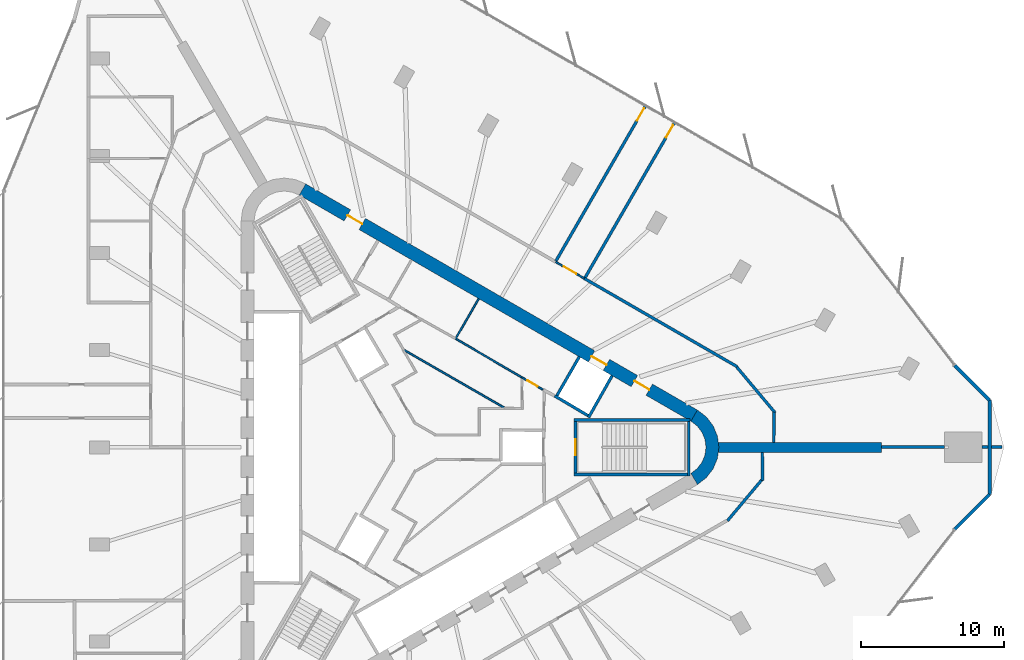
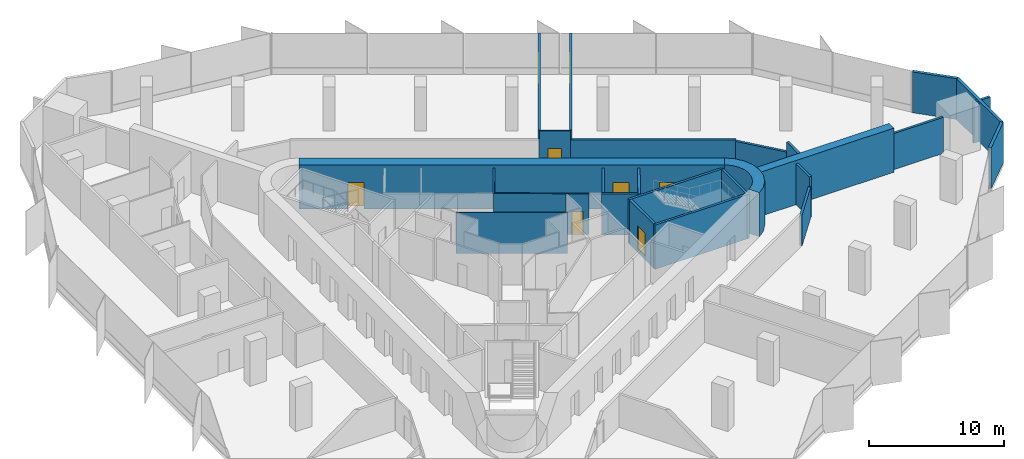
# One storey, part 12 of 14: 28 walls, 8 doors, 8 openings.
"""IFC4 building model written with IfcOpenShell, lengths in metres."""

from ifc_helpers import new_model, si_unit, direction, frame, frame_2d, origin, place, context, subcontext, project, spatial, polyline, rectangle, outline, extrude, material, layer, layer_set, type_object, element, fill, save


model = new_model("IFC4")

# Units and contexts
model_context = context("Model", 3, precision=1e-05, world=origin(), true_north=direction((0.0, 1.0)))
body_context = subcontext(model_context, "Body", "Model", "MODEL_VIEW")
ifc_project = project(units=[si_unit("LENGTHUNIT", "METRE"), si_unit("AREAUNIT", "SQUARE_METRE"), si_unit("VOLUMEUNIT", "CUBIC_METRE"), si_unit("PLANEANGLEUNIT", "RADIAN"), si_unit("MASSUNIT", "GRAM", prefix="KILO")], contexts=[model_context])

# Site, building, storey
site_placement = place(None, origin())
site = spatial("IfcSite", under=ifc_project, at=site_placement, CompositionType="ELEMENT")
building_placement = place(site_placement, origin())
building = spatial("IfcBuilding", under=site, at=building_placement, Name="Tanit Gate Tower", CompositionType="ELEMENT")
storey_placement = place(building_placement, frame((0.0, 0.0, 229.199951171875)))
storey = spatial("IfcBuildingStorey", under=building, at=storey_placement, Name="L51", CompositionType="ELEMENT", Elevation=229.199951171875)

# Wall
ifc_material_1 = material(Name="Concrete C50/60", Category="concrete")
ifc_layer_1 = layer(ifc_material_1, 0.699951171875)
ifc_layer_set_1 = layer_set([ifc_layer_1], Name="BUTTRESS FIN 700 C50/60")
wall_type_1 = type_object("IfcWallType", Name="BUTTRESS FIN 700 C50/60", PredefinedType="SHEAR", material=ifc_layer_set_1)
wall_1_placement = place(storey_placement, frame((21.14990234375, 0.0, 0.0), z_axis=(0.0, 0.0, 1.0), x_axis=(1.0, 0.0, 0.0)))
element("IfcWall", 1, at=wall_1_placement, inside=storey, type_object=wall_type_1, Name="BUTTRESS FIN", PredefinedType="SHEAR", context=body_context, shape_type="SweptSolid", body=[
    extrude(rectangle(XDim=11.3681640625, YDim=0.699951171875, at=frame_2d((5.68408203125, 0.0))), origin(), (0.0, 0.0, 1.0), 4.0),
])

# Wall, openings, doors
ifc_material_2 = material(Name="Concrete C50/60", Category="concrete")
ifc_layer_2 = layer(ifc_material_2, 0.89990234375)
ifc_layer_set_2 = layer_set([ifc_layer_2], Name="CORE WALL 900 C50/60")
wall_type_2 = type_object("IfcWallType", Name="CORE WALL 900 C50/60", PredefinedType="SHEAR", material=ifc_layer_set_2)
wall_2_placement = place(storey_placement, frame((19.47509765625, 2.20849609375, 0.0), z_axis=(0.0, 0.0, 1.0), x_axis=(-0.866028369851, 0.499994862586, 0.0)))
wall_2 = element("IfcWall", 2, at=wall_2_placement, inside=storey, type_object=wall_type_2, Name="CORE WALL", PredefinedType="SHEAR", context=body_context, shape_type="SweptSolid", body=[
    extrude(rectangle(XDim=31.523193359375, YDim=0.89990234375, at=frame_2d((15.76171875, 0.0))), origin(), (0.0, 0.0, 1.0), 4.0),
])
opening_1_placement = place(wall_2_placement, frame((7.0615234375, 0.0, 0.0)))
opening_1 = element("IfcOpeningElement", 3, at=opening_1_placement, cuts=wall_2, Name="Opening LDML8-S14", PredefinedType="OPENING", context=body_context, shape_type="SweptSolid", body=[
    extrude(rectangle(XDim=1.199951171875, YDim=2.39990234375, at=frame_2d((0.60009765625, 1.199951171875))), frame((0.0, 0.4599609375, 0.0), z_axis=(0.0, -1.0, 0.0), x_axis=(1.0, 0.0, 0.0)), (0.0, 0.0, 1.0), 0.919921875),
])
opening_2_placement = place(wall_2_placement, frame((3.611572265625, 0.0, 0.0)))
opening_2 = element("IfcOpeningElement", 4, at=opening_2_placement, cuts=wall_2, Name="Opening F12-S14-FL1", PredefinedType="OPENING", context=body_context, shape_type="SweptSolid", body=[
    extrude(rectangle(XDim=1.199951171875, YDim=2.39990234375, at=frame_2d((0.60009765625, 1.199951171875))), frame((0.0, 0.4599609375, 0.0), z_axis=(0.0, -1.0, 0.0), x_axis=(1.0, 0.0, 0.0)), (0.0, 0.0, 1.0), 0.919921875),
])
opening_3_placement = place(wall_2_placement, frame((26.711669921875, 0.0, 0.0)))
opening_3 = element("IfcOpeningElement", 5, at=opening_3_placement, cuts=wall_2, Name="Opening F12-S14-S2", PredefinedType="OPENING", context=body_context, shape_type="SweptSolid", body=[
    extrude(rectangle(XDim=1.199951171875, YDim=2.39990234375, at=frame_2d((0.60009765625, 1.199951171875))), frame((0.0, 0.4599609375, 0.0), z_axis=(0.0, -1.0, 0.0), x_axis=(1.0, 0.0, 0.0)), (0.0, 0.0, 1.0), 0.919921875),
])
ifc_material_3 = material(Name="Fire-rated steel door leaf", Category="steel")
door_type_1 = type_object("IfcDoorType", Name="INT-DOOR-FIRE-LOBBY-1200", OperationType="NOTDEFINED", PredefinedType="USERDEFINED", material=ifc_material_3)
door_1_placement = place(opening_2_placement, origin())
door_1 = element("IfcDoor", 6, at=door_1_placement, inside=storey, type_object=door_type_1, Name="Door F12-S14-FL1", ObjectType="FIRE DOOR", OperationType="SINGLE_SWING_LEFT", OverallHeight=2.39990234375, OverallWidth=1.199951171875, PredefinedType="USERDEFINED", context=body_context, shape_type="SweptSolid", body=[
    extrude(rectangle(XDim=1.199951171875, YDim=2.39990234375, at=frame_2d((0.60009765625, 1.199951171875))), frame((0.0, 0.02490234375, 0.0), z_axis=(0.0, -1.0, 0.0), x_axis=(1.0, 0.0, 0.0)), (0.0, 0.0, 1.0), 0.050048828125),
])
fill(opening_2, door_1)
door_2_placement = place(opening_3_placement, origin())
door_2 = element("IfcDoor", 7, at=door_2_placement, inside=storey, type_object=door_type_1, Name="Door F12-S14-S2", ObjectType="FIRE DOOR", OperationType="SINGLE_SWING_RIGHT", OverallHeight=2.39990234375, OverallWidth=1.199951171875, PredefinedType="USERDEFINED", context=body_context, shape_type="SweptSolid", body=[
    extrude(rectangle(XDim=1.199951171875, YDim=2.39990234375, at=frame_2d((0.60009765625, 1.199951171875))), frame((0.0, 0.02490234375, 0.0), z_axis=(0.0, -1.0, 0.0), x_axis=(1.0, 0.0, 0.0)), (0.0, 0.0, 1.0), 0.050048828125),
])
fill(opening_3, door_2)
ifc_material_4 = material(Name="Stainless steel sliding door leaf", Category="steel")
door_type_2 = type_object("IfcDoorType", Name="INT-DOOR-LANDING-1200", OperationType="NOTDEFINED", PredefinedType="USERDEFINED", material=ifc_material_4)
door_3_placement = place(opening_1_placement, origin())
door_3 = element("IfcDoor", 8, at=door_3_placement, inside=storey, type_object=door_type_2, Name="Door LDML8-S14", ObjectType="LANDING DOOR", OperationType="SLIDING_TO_LEFT", OverallHeight=2.39990234375, OverallWidth=1.199951171875, PredefinedType="USERDEFINED", context=body_context, shape_type="SweptSolid", body=[
    extrude(rectangle(XDim=1.199951171875, YDim=2.39990234375, at=frame_2d((0.60009765625, 1.199951171875))), frame((0.0, 0.02490234375, 0.0), z_axis=(0.0, -1.0, 0.0), x_axis=(1.0, 0.0, 0.0)), (0.0, 0.0, 1.0), 0.050048828125),
])
fill(opening_1, door_3)

# Walls
wall_3_placement = place(storey_placement, origin())
element("IfcWall", 9, at=wall_3_placement, inside=storey, type_object=wall_type_2, Name="CORE WALL CORNER", PredefinedType="SHEAR", context=body_context, shape_type="SweptSolid", body=[
    extrude(outline(polyline([(19.699951171875, -2.59814453125), (20.3212890625, -2.121337890625), (20.798095703125, -1.5), (21.097900390625, -0.776611328125), (21.199951171875, 0.0), (21.097900390625, 0.776611328125), (20.798095703125, 1.5), (20.3212890625, 2.121337890625), (19.699951171875, 2.59814453125), (19.25, 1.818603515625), (19.684814453125, 1.48486328125), (20.018798828125, 1.050048828125), (20.228515625, 0.54345703125), (20.300048828125, 0.0), (20.228515625, -0.54345703125), (20.018798828125, -1.050048828125), (19.684814453125, -1.48486328125), (19.25, -1.818603515625), (19.699951171875, -2.59814453125)])), origin(), (0.0, 0.0, 1.0), 4.0),
])
ifc_material_5 = material(Name="Concrete C30/37 with bronze anodised aluminium cladding", Category="concrete")
ifc_layer_3 = layer(ifc_material_5, 0.239990234375)
ifc_layer_set_3 = layer_set([ifc_layer_3], Name="Facade wall bronze clad 240")
wall_type_3 = type_object("IfcWallType", Name="Facade wall bronze clad 240", PredefinedType="SOLIDWALL", material=ifc_layer_set_3)
wall_4_placement = place(storey_placement, frame((37.635009765625, -5.713134765625, 0.0), z_axis=(0.0, 0.0, 1.0), x_axis=(0.707106781187, 0.707106781187, 0.0)))
element("IfcWall", 10, at=wall_4_placement, inside=storey, type_object=wall_type_3, Name="Bronze-clad facade wall L51 E.arc1", PredefinedType="SOLIDWALL", context=body_context, shape_type="SweptSolid", body=[
    extrude(rectangle(XDim=3.437744140625, YDim=0.239990234375, at=frame_2d((1.71875, 0.0))), origin(), (0.0, 0.0, 1.0), 3.699951171875),
])
wall_5_placement = place(storey_placement, frame((40.06591796875, -3.2822265625, 0.0), z_axis=(0.0, 0.0, 1.0), x_axis=(0.0, 1.0, 0.0)))
element("IfcWall", 11, at=wall_5_placement, inside=storey, type_object=wall_type_3, Name="Bronze-clad facade wall L51 E.arc2", PredefinedType="SOLIDWALL", context=body_context, shape_type="SweptSolid", body=[
    extrude(rectangle(XDim=6.564453125, YDim=0.239990234375, at=frame_2d((3.2822265625, 0.0))), origin(), (0.0, 0.0, 1.0), 3.699951171875),
])
wall_6_placement = place(storey_placement, frame((40.06591796875, 3.2822265625, 0.0), z_axis=(0.0, 0.0, 1.0), x_axis=(-0.707106781187, 0.707106781187, 0.0)))
element("IfcWall", 12, at=wall_6_placement, inside=storey, type_object=wall_type_3, Name="Bronze-clad facade wall L51 E.arc3", PredefinedType="SOLIDWALL", context=body_context, shape_type="SweptSolid", body=[
    extrude(rectangle(XDim=3.437744140625, YDim=0.239990234375, at=frame_2d((1.71875, 0.0))), origin(), (0.0, 0.0, 1.0), 3.699951171875),
])
ifc_material_6 = material(Name="Fire-rated gypsum board partition")
ifc_layer_4 = layer(ifc_material_6, 0.199951171875)
ifc_layer_set_4 = layer_set([ifc_layer_4], Name="INT-WALL-COMPARTMENT")
wall_type_4 = type_object("IfcWallType", Name="INT-WALL-COMPARTMENT", PredefinedType="PARTITIONING", material=ifc_layer_set_4)
wall_7_placement = place(storey_placement, frame((22.466064453125, 5.619873046875, 0.0), z_axis=(0.0, 0.0, 1.0), x_axis=(-0.866024234898, 0.500002024564, 0.0)))
element("IfcWall", 13, at=wall_7_placement, inside=storey, type_object=wall_type_4, Name="Wall Compartment W112", PredefinedType="PARTITIONING", context=body_context, shape_type="SweptSolid", body=[
    extrude(rectangle(XDim=12.29638671875, YDim=0.199951171875, at=frame_2d((6.148193359375, 0.0))), origin(), (0.0, 0.0, 1.0), 2.880126953125),
])
wall_8_placement = place(storey_placement, frame((25.12109375, 2.40283203125, 0.0), z_axis=(0.0, 0.0, 1.0), x_axis=(-0.642809831665, 0.766025796116, 0.0)))
element("IfcWall", 14, at=wall_8_placement, inside=storey, type_object=wall_type_4, Name="Wall Compartment W113", PredefinedType="PARTITIONING", context=body_context, shape_type="SweptSolid", body=[
    extrude(rectangle(XDim=4.164794921875, YDim=0.199951171875, at=frame_2d((2.08251953125, 0.0))), origin(), (0.0, 0.0, 1.0), 2.780029296875),
])
wall_9_placement = place(storey_placement, frame((25.0205078125, 0.35009765625, 0.0), z_axis=(0.0, 0.0, 1.0), x_axis=(0.012014998271, 0.999927817303, 0.0)))
element("IfcWall", 15, at=wall_9_placement, inside=storey, type_object=wall_type_4, Name="Wall Compartment W114", PredefinedType="PARTITIONING", context=body_context, shape_type="SweptSolid", body=[
    extrude(rectangle(XDim=2.093017578125, YDim=0.199951171875, at=frame_2d((1.04638671875, 0.0))), origin(), (0.0, 0.0, 1.0), 3.699951171875),
])
wall_10_placement = place(storey_placement, frame((24.247802734375, -2.316650390625, 0.0), z_axis=(0.0, 0.0, 1.0), x_axis=(-0.013654841032, 0.999906768312, 0.0)))
element("IfcWall", 16, at=wall_10_placement, inside=storey, type_object=wall_type_4, Name="Wall Compartment W116", PredefinedType="PARTITIONING", context=body_context, shape_type="SweptSolid", body=[
    extrude(rectangle(XDim=1.966796875, YDim=0.199951171875, at=frame_2d((0.9833984375, 0.0))), origin(), (0.0, 0.0, 1.0), 3.699951171875),
])
wall_11_placement = place(storey_placement, frame((21.79296875, -5.124267578125, 0.0), z_axis=(0.0, 0.0, 1.0), x_axis=(0.642787733653, 0.766044339098, 0.0)))
element("IfcWall", 17, at=wall_11_placement, inside=storey, type_object=wall_type_4, Name="Wall Compartment W117", PredefinedType="PARTITIONING", context=body_context, shape_type="SweptSolid", body=[
    extrude(rectangle(XDim=3.767333984375, YDim=0.199951171875, at=frame_2d((1.8837890625, 0.0))), origin(), (0.0, 0.0, 1.0), 2.780029296875),
])

# Wall, opening, door
wall_12_placement = place(storey_placement, frame((16.085693359375, 23.80126953125, 0.0), z_axis=(0.0, 0.0, 1.0), x_axis=(-0.499993063803, -0.866029408363, 0.0)))
wall_12 = element("IfcWall", 18, at=wall_12_placement, inside=storey, type_object=wall_type_4, Name="Wall Compartment W145", PredefinedType="PARTITIONING", context=body_context, shape_type="SweptSolid", body=[
    extrude(rectangle(XDim=12.495361328125, YDim=0.199951171875, at=frame_2d((6.24755859375, 0.0))), origin(), (0.0, 0.0, 1.0), 3.699951171875),
])
opening_4_placement = place(wall_12_placement, frame((0.199951171875, 0.0, 0.0)))
opening_4 = element("IfcOpeningElement", 19, at=opening_4_placement, cuts=wall_12, Name="Opening F10-S14-34", PredefinedType="OPENING", context=body_context, shape_type="SweptSolid", body=[
    extrude(rectangle(XDim=1.0, YDim=2.10009765625, at=frame_2d((0.5, 1.050048828125))), frame((0.0, 0.10986328125, 0.0), z_axis=(0.0, -1.0, 0.0), x_axis=(1.0, 0.0, 0.0)), (0.0, 0.0, 1.0), 0.219970703125),
])
ifc_material_7 = material(Name="Fire-rated steel door leaf", Category="steel")
door_type_3 = type_object("IfcDoorType", Name="INT-DOOR-FIRE-1000", OperationType="NOTDEFINED", PredefinedType="USERDEFINED", material=ifc_material_7)
door_4_placement = place(opening_4_placement, origin())
door_4 = element("IfcDoor", 20, at=door_4_placement, inside=storey, type_object=door_type_3, Name="Door F10-S14-34", ObjectType="FIRE DOOR", OperationType="SINGLE_SWING_LEFT", OverallHeight=2.10009765625, OverallWidth=1.0, PredefinedType="USERDEFINED", context=body_context, shape_type="SweptSolid", body=[
    extrude(rectangle(XDim=1.0, YDim=2.10009765625, at=frame_2d((0.5, 1.050048828125))), frame((0.0, 0.02490234375, 0.0), z_axis=(0.0, -1.0, 0.0), x_axis=(1.0, 0.0, 0.0)), (0.0, 0.0, 1.0), 0.050048828125),
])
fill(opening_4, door_4)

wall_13_placement = place(storey_placement, frame((11.864501953125, 11.81005859375, 0.0), z_axis=(0.0, 0.0, 1.0), x_axis=(0.500007717682, 0.866020947933, 0.0)))
wall_13 = element("IfcWall", 21, at=wall_13_placement, inside=storey, type_object=wall_type_4, Name="Wall Compartment W146", PredefinedType="PARTITIONING", context=body_context, shape_type="SweptSolid", body=[
    extrude(rectangle(XDim=12.495361328125, YDim=0.199951171875, at=frame_2d((6.24755859375, 0.0))), origin(), (0.0, 0.0, 1.0), 3.699951171875),
])
opening_5_placement = place(wall_13_placement, frame((11.29541015625, 0.0, 0.0)))
opening_5 = element("IfcOpeningElement", 22, at=opening_5_placement, cuts=wall_13, Name="Opening F10-S14-35", PredefinedType="OPENING", context=body_context, shape_type="SweptSolid", body=[
    extrude(rectangle(XDim=1.0, YDim=2.10009765625, at=frame_2d((0.5, 1.050048828125))), frame((0.0, 0.10986328125, 0.0), z_axis=(0.0, -1.0, 0.0), x_axis=(1.0, 0.0, 0.0)), (0.0, 0.0, 1.0), 0.219970703125),
])
door_5_placement = place(opening_5_placement, origin())
door_5 = element("IfcDoor", 23, at=door_5_placement, inside=storey, type_object=door_type_3, Name="Door F10-S14-35", ObjectType="FIRE DOOR", OperationType="SINGLE_SWING_LEFT", OverallHeight=2.10009765625, OverallWidth=1.0, PredefinedType="USERDEFINED", context=body_context, shape_type="SweptSolid", body=[
    extrude(rectangle(XDim=1.0, YDim=2.10009765625, at=frame_2d((0.5, 1.050048828125))), frame((0.0, 0.02490234375, 0.0), z_axis=(0.0, -1.0, 0.0), x_axis=(1.0, 0.0, 0.0)), (0.0, 0.0, 1.0), 0.050048828125),
])
fill(opening_5, door_5)

# Walls
wall_14_placement = place(storey_placement, frame((40.937255859375, 0.030029296875, 0.0), z_axis=(0.0, 0.0, 1.0), x_axis=(-1.0, 0.0, 0.0)))
element("IfcWall", 24, at=wall_14_placement, inside=storey, type_object=wall_type_4, Name="Wall Compartment W149", PredefinedType="PARTITIONING", context=body_context, shape_type="SweptSolid", body=[
    extrude(rectangle(XDim=0.75146484375, YDim=0.199951171875, at=frame_2d((0.375732421875, 0.0))), origin(), (0.0, 0.0, 1.0), 3.699951171875),
])
wall_15_placement = place(storey_placement, frame((39.94580078125, 0.030029296875, 0.0), z_axis=(0.0, 0.0, 1.0), x_axis=(-1.0, 0.0, 0.0)))
element("IfcWall", 25, at=wall_15_placement, inside=storey, type_object=wall_type_4, Name="Wall Compartment W149x1", PredefinedType="PARTITIONING", context=body_context, shape_type="SweptSolid", body=[
    extrude(rectangle(XDim=0.42626953125, YDim=0.199951171875, at=frame_2d((0.213134765625, 0.0))), origin(), (0.0, 0.0, 1.0), 3.699951171875),
])
wall_16_placement = place(storey_placement, frame((36.919677734375, 0.030029296875, 0.0), z_axis=(0.0, 0.0, 1.0), x_axis=(-1.0, 0.0, 0.0)))
element("IfcWall", 26, at=wall_16_placement, inside=storey, type_object=wall_type_4, Name="Wall Compartment W148", PredefinedType="PARTITIONING", context=body_context, shape_type="SweptSolid", body=[
    extrude(rectangle(XDim=4.401611328125, YDim=0.199951171875, at=frame_2d((2.20068359375, 0.0))), origin(), (0.0, 0.0, 1.0), 3.27001953125),
])
ifc_material_8 = material(Name="Gypsum board partition")
ifc_layer_5 = layer(ifc_material_8, 0.1201171875)
ifc_layer_set_5 = layer_set([ifc_layer_5], Name="INT-WALL-PARTITION")
wall_type_5 = type_object("IfcWallType", Name="INT-WALL-PARTITION", PredefinedType="PARTITIONING", material=ifc_layer_set_5)
wall_17_placement = place(storey_placement, frame((4.456787109375, 10.359375, 0.0), z_axis=(0.0, 0.0, 1.0), x_axis=(-0.500017246033, -0.866015446554, 0.0)))
element("IfcWall", 27, at=wall_17_placement, inside=storey, type_object=wall_type_5, Name="Wall Partition W049", PredefinedType="PARTITIONING", context=body_context, shape_type="SweptSolid", body=[
    extrude(rectangle(XDim=3.25, YDim=0.1201171875, at=frame_2d((1.625, 0.0))), origin(), (0.0, 0.0, 1.0), 3.699951171875),
])
wall_18_placement = place(storey_placement, frame((2.82080078125, 7.5859375, 0.0), z_axis=(0.0, 0.0, 1.0), x_axis=(0.863262357411, -0.504755487615, 0.0)))
element("IfcWall", 28, at=wall_18_placement, inside=storey, type_object=wall_type_5, Name="Wall Partition W051", PredefinedType="PARTITIONING", context=body_context, shape_type="SweptSolid", body=[
    extrude(rectangle(XDim=5.370361328125, YDim=0.1201171875, at=frame_2d((2.68505859375, 0.0))), origin(), (0.0, 0.0, 1.0), 3.699951171875),
])

# Wall, opening, door
wall_19_placement = place(storey_placement, frame((7.45654296875, 4.874755859375, 0.0), z_axis=(0.0, 0.0, 1.0), x_axis=(0.866027945518, -0.499995597562, 0.0)))
wall_19 = element("IfcWall", 29, at=wall_19_placement, inside=storey, type_object=wall_type_5, Name="Wall Partition W052", PredefinedType="PARTITIONING", context=body_context, shape_type="SweptSolid", body=[
    extrude(rectangle(XDim=1.7021484375, YDim=0.1201171875, at=frame_2d((0.85107421875, 0.0))), origin(), (0.0, 0.0, 1.0), 3.699951171875),
])
opening_6_placement = place(wall_19_placement, frame((0.461181640625, 0.0, 0.0)))
opening_6 = element("IfcOpeningElement", 30, at=opening_6_placement, cuts=wall_19, Name="Opening R08-S14-15", PredefinedType="OPENING", context=body_context, shape_type="SweptSolid", body=[
    extrude(rectangle(XDim=0.800048828125, YDim=2.10009765625, at=frame_2d((0.39990234375, 1.050048828125))), frame((0.0, 0.070068359375, 0.0), z_axis=(0.0, -1.0, 0.0), x_axis=(1.0, 0.0, 0.0)), (0.0, 0.0, 1.0), 0.14013671875),
])
ifc_material_9 = material(Name="Timber door leaf", Category="wood")
door_type_4 = type_object("IfcDoorType", Name="INT-DOOR-RISER-800", OperationType="NOTDEFINED", PredefinedType="USERDEFINED", material=ifc_material_9)
door_6_placement = place(opening_6_placement, origin())
door_6 = element("IfcDoor", 31, at=door_6_placement, inside=storey, type_object=door_type_4, Name="Door R08-S14-15", ObjectType="FIRE DOOR", OperationType="SINGLE_SWING_RIGHT", OverallHeight=2.10009765625, OverallWidth=0.800048828125, PredefinedType="USERDEFINED", context=body_context, shape_type="SweptSolid", body=[
    extrude(rectangle(XDim=0.800048828125, YDim=2.10009765625, at=frame_2d((0.39990234375, 1.050048828125))), frame((0.0, 0.02490234375, 0.0), z_axis=(0.0, -1.0, 0.0), x_axis=(1.0, 0.0, 0.0)), (0.0, 0.0, 1.0), 0.050048828125),
])
fill(opening_6, door_6)

# Wall
wall_20_placement = place(storey_placement, frame((-0.826904296875, 6.832275390625, 0.0), z_axis=(0.0, 0.0, 1.0), x_axis=(0.866020293397, -0.500008851346, 0.0)))
element("IfcWall", 32, at=wall_20_placement, inside=storey, type_object=wall_type_5, Name="Wall Partition W078", PredefinedType="PARTITIONING", context=body_context, shape_type="SweptSolid", body=[
    extrude(rectangle(XDim=8.264404296875, YDim=0.1201171875, at=frame_2d((4.13232421875, 0.0))), origin(), (0.0, 0.0, 1.0), 3.699951171875),
])

# Wall, opening, door
wall_21_placement = place(storey_placement, frame((11.817138671875, 11.76806640625, 0.0), z_axis=(0.0, 0.0, 1.0), x_axis=(-0.86602648383, 0.499998129301, 0.0)))
wall_21 = element("IfcWall", 33, at=wall_21_placement, inside=storey, type_object=wall_type_5, Name="Wall Partition W108", PredefinedType="PARTITIONING", context=body_context, shape_type="SweptSolid", body=[
    extrude(rectangle(XDim=2.2998046875, YDim=0.1201171875, at=frame_2d((1.14990234375, 0.0))), origin(), (0.0, 0.0, 1.0), 3.699951171875),
])
opening_7_placement = place(wall_21_placement, frame((0.64990234375, 0.0, 0.0)))
opening_7 = element("IfcOpeningElement", 34, at=opening_7_placement, cuts=wall_21, Name="Opening D10-S14-21", PredefinedType="OPENING", context=body_context, shape_type="SweptSolid", body=[
    extrude(rectangle(XDim=1.0, YDim=2.10009765625, at=frame_2d((0.5, 1.050048828125))), frame((0.0, 0.070068359375, 0.0), z_axis=(0.0, -1.0, 0.0), x_axis=(1.0, 0.0, 0.0)), (0.0, 0.0, 1.0), 0.14013671875),
])
ifc_material_10 = material(Name="Timber door leaf", Category="wood")
door_type_5 = type_object("IfcDoorType", Name="INT-DOOR-SINGLE-1000", OperationType="NOTDEFINED", PredefinedType="NOTDEFINED", material=ifc_material_10)
door_7_placement = place(opening_7_placement, origin())
door_7 = element("IfcDoor", 35, at=door_7_placement, inside=storey, type_object=door_type_5, Name="Door D10-S14-21", OperationType="SINGLE_SWING_RIGHT", OverallHeight=2.10009765625, OverallWidth=1.0, PredefinedType="NOTDEFINED", context=body_context, shape_type="SweptSolid", body=[
    extrude(rectangle(XDim=1.0, YDim=2.10009765625, at=frame_2d((0.5, 1.050048828125))), frame((0.0, 0.02490234375, 0.0), z_axis=(0.0, -1.0, 0.0), x_axis=(1.0, 0.0, 0.0)), (0.0, 0.0, 1.0), 0.050048828125),
])
fill(opening_7, door_7)

# Walls
ifc_material_11 = material(Name="Gypsum shaft wall system")
ifc_layer_6 = layer(ifc_material_11, 0.199951171875)
ifc_layer_set_6 = layer_set([ifc_layer_6], Name="INT-WALL-SHAFT")
wall_type_6 = type_object("IfcWallType", Name="INT-WALL-SHAFT", PredefinedType="PLUMBINGWALL", material=ifc_layer_set_6)
wall_22_placement = place(storey_placement, frame((9.8466796875, 3.494873046875, 0.0), z_axis=(0.0, 0.0, 1.0), x_axis=(0.499984717929, 0.866034226713, 0.0)))
element("IfcWall", 36, at=wall_22_placement, inside=storey, type_object=wall_type_6, Name="Wall Shaft W012", PredefinedType="PLUMBINGWALL", context=body_context, shape_type="SweptSolid", body=[
    extrude(rectangle(XDim=3.25, YDim=0.199951171875, at=frame_2d((1.625, 0.0))), origin(), (0.0, 0.0, 1.0), 3.699951171875),
])
wall_23_placement = place(storey_placement, frame((12.10986328125, 2.07275390625, 0.0), z_axis=(0.0, 0.0, 1.0), x_axis=(0.49196600604, 0.870614408852, 0.0)))
element("IfcWall", 37, at=wall_23_placement, inside=storey, type_object=wall_type_6, Name="Wall Shaft W013", PredefinedType="PLUMBINGWALL", context=body_context, shape_type="SweptSolid", body=[
    extrude(rectangle(XDim=3.35009765625, YDim=0.199951171875, at=frame_2d((1.675048828125, 0.0))), origin(), (0.0, 0.0, 1.0), 3.699951171875),
])
wall_24_placement = place(storey_placement, frame((12.072998046875, 2.2109375, 0.0), z_axis=(0.0, 0.0, 1.0), x_axis=(-0.860414880418, 0.509594185166, 0.0)))
element("IfcWall", 38, at=wall_24_placement, inside=storey, type_object=wall_type_6, Name="Wall Shaft W014", PredefinedType="PLUMBINGWALL", context=body_context, shape_type="SweptSolid", body=[
    extrude(rectangle(XDim=2.7001953125, YDim=0.199951171875, at=frame_2d((1.35009765625, 0.0))), origin(), (0.0, 0.0, 1.0), 3.699951171875),
])
ifc_material_12 = material(Name="Concrete C40/50", Category="concrete")
ifc_layer_7 = layer(ifc_material_12, 0.199951171875)
ifc_layer_set_7 = layer_set([ifc_layer_7], Name="INT-WALL-STAIR")
wall_type_7 = type_object("IfcWallType", Name="INT-WALL-STAIR", PredefinedType="SHEAR", material=ifc_layer_set_7)
wall_25_placement = place(storey_placement, frame((19.199951171875, 1.89990234375, -0.300048828125), z_axis=(0.0, 0.0, 1.0), x_axis=(-1.0, 0.0, 0.0)))
element("IfcWall", 39, at=wall_25_placement, inside=storey, type_object=wall_type_7, Name="Wall Stair W025", PredefinedType="SHEAR", context=body_context, shape_type="SweptSolid", body=[
    extrude(rectangle(XDim=8.099853515625, YDim=0.199951171875, at=frame_2d((4.0498046875, 0.0))), origin(), (0.0, 0.0, 1.0), 4.0),
])
wall_26_placement = place(storey_placement, frame((19.10009765625, -2.0, -0.300048828125), z_axis=(0.0, 0.0, 1.0), x_axis=(0.0, 1.0, 0.0)))
element("IfcWall", 40, at=wall_26_placement, inside=storey, type_object=wall_type_7, Name="Wall Stair W026", PredefinedType="SHEAR", context=body_context, shape_type="SweptSolid", body=[
    extrude(rectangle(XDim=3.800048828125, YDim=0.199951171875, at=frame_2d((1.89990234375, 0.0))), origin(), (0.0, 0.0, 1.0), 4.0),
])
wall_27_placement = place(storey_placement, frame((11.10009765625, -1.89990234375, -0.300048828125), z_axis=(0.0, 0.0, 1.0), x_axis=(1.0, 0.0, 0.0)))
element("IfcWall", 41, at=wall_27_placement, inside=storey, type_object=wall_type_7, Name="Wall Stair W027", PredefinedType="SHEAR", context=body_context, shape_type="SweptSolid", body=[
    extrude(rectangle(XDim=7.89990234375, YDim=0.199951171875, at=frame_2d((3.949951171875, 0.0))), origin(), (0.0, 0.0, 1.0), 4.0),
])

# Wall, opening, door
wall_28_placement = place(storey_placement, frame((11.199951171875, -1.800048828125, -0.300048828125), z_axis=(0.0, 0.0, 1.0), x_axis=(0.0, 1.0, 0.0)))
wall_28 = element("IfcWall", 42, at=wall_28_placement, inside=storey, type_object=wall_type_7, Name="Wall Stair W028", PredefinedType="SHEAR", context=body_context, shape_type="SweptSolid", body=[
    extrude(rectangle(XDim=3.60009765625, YDim=0.199951171875, at=frame_2d((1.800048828125, 0.0))), origin(), (0.0, 0.0, 1.0), 4.0),
])
opening_8_placement = place(wall_28_placement, frame((1.25, 0.0, 0.300048828125)))
opening_8 = element("IfcOpeningElement", 43, at=opening_8_placement, cuts=wall_28, Name="Opening S11-S14-01", PredefinedType="OPENING", context=body_context, shape_type="SweptSolid", body=[
    extrude(rectangle(XDim=1.10009765625, YDim=2.10009765625, at=frame_2d((0.550048828125, 1.050048828125))), frame((0.0, 0.10986328125, 0.0), z_axis=(0.0, -1.0, 0.0), x_axis=(1.0, 0.0, 0.0)), (0.0, 0.0, 1.0), 0.219970703125),
])
ifc_material_13 = material(Name="Timber door leaf", Category="wood")
door_type_6 = type_object("IfcDoorType", Name="INT-DOOR-STAIR-1100", OperationType="NOTDEFINED", PredefinedType="USERDEFINED", material=ifc_material_13)
door_8_placement = place(opening_8_placement, origin())
door_8 = element("IfcDoor", 44, at=door_8_placement, inside=storey, type_object=door_type_6, Name="Door S11-S14-01", ObjectType="FIRE DOOR", OperationType="SINGLE_SWING_RIGHT", OverallHeight=2.10009765625, OverallWidth=1.10009765625, PredefinedType="USERDEFINED", context=body_context, shape_type="SweptSolid", body=[
    extrude(rectangle(XDim=1.10009765625, YDim=2.10009765625, at=frame_2d((0.550048828125, 1.050048828125))), frame((0.0, 0.02490234375, 0.0), z_axis=(0.0, -1.0, 0.0), x_axis=(1.0, 0.0, 0.0)), (0.0, 0.0, 1.0), 0.050048828125),
])
fill(opening_8, door_8)

save(model, "model.ifc")
